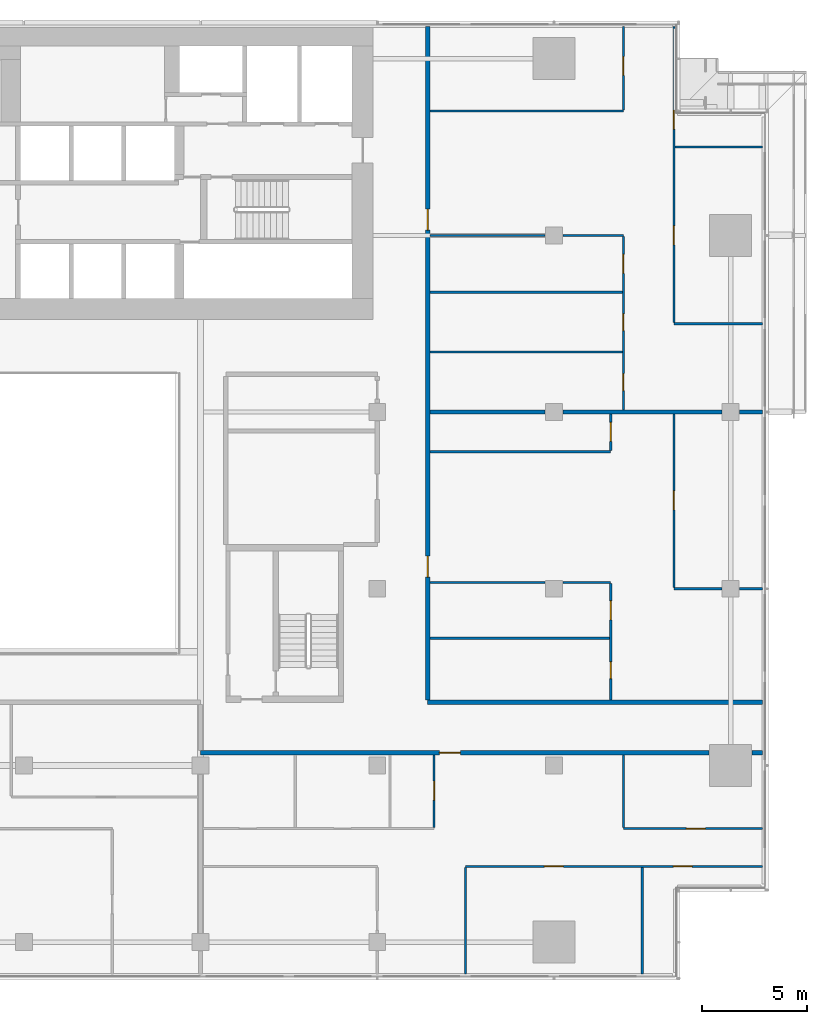
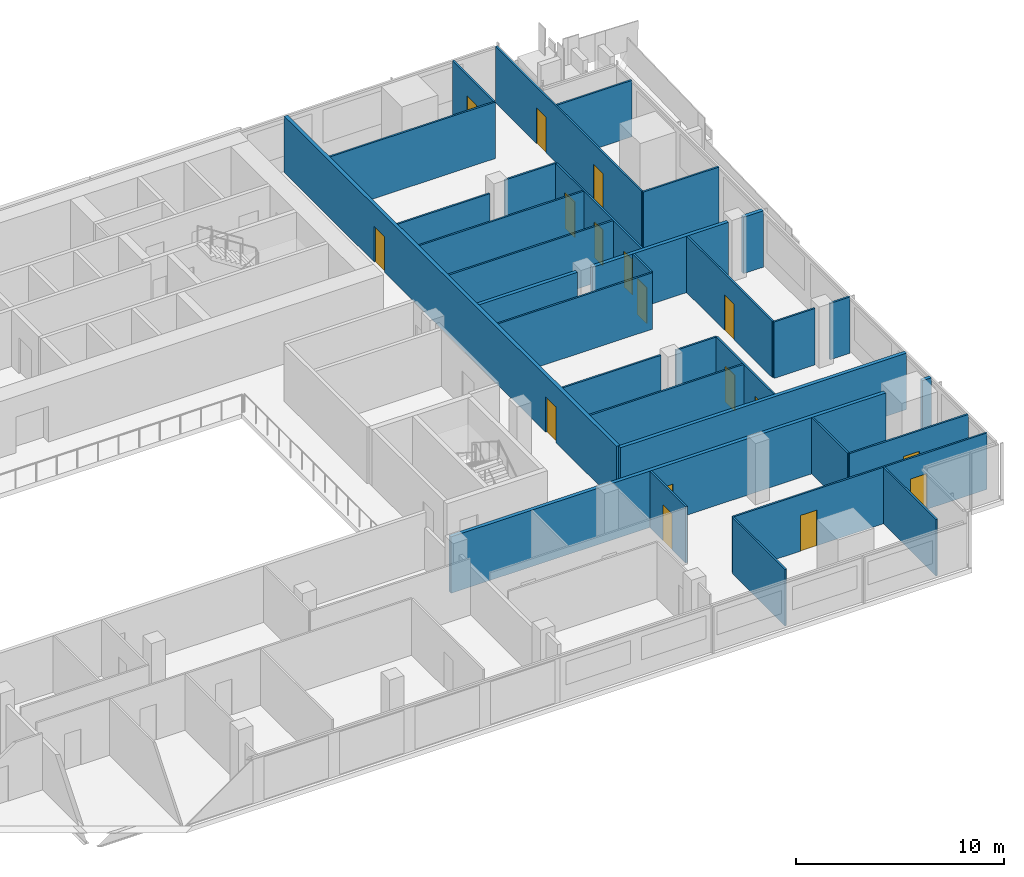
# One storey, part 21 of 27: 32 walls, 17 doors, 17 openings.
"""IFC4 building model written with IfcOpenShell, lengths in metres."""

from ifc_helpers import new_model, si_unit, direction, frame, frame_2d, origin, place, context, subcontext, project, spatial, rectangle, extrude, material, layer, layer_set, type_object, element, fill, save


model = new_model("IFC4")

# Units and contexts
model_context = context("Model", 3, precision=1e-05, world=origin(), true_north=direction((0.0, 1.0)))
body_context = subcontext(model_context, "Body", "Model", "MODEL_VIEW")
ifc_project = project(units=[si_unit("LENGTHUNIT", "METRE"), si_unit("AREAUNIT", "SQUARE_METRE"), si_unit("VOLUMEUNIT", "CUBIC_METRE"), si_unit("PLANEANGLEUNIT", "RADIAN"), si_unit("MASSUNIT", "GRAM", prefix="KILO")], contexts=[model_context])

# Site, building, storey
site_placement = place(None, origin())
site = spatial("IfcSite", under=ifc_project, at=site_placement, CompositionType="ELEMENT")
building_placement = place(site_placement, origin())
building = spatial("IfcBuilding", under=site, at=building_placement, Name="Saffron Gate Tower", CompositionType="ELEMENT")
storey_placement = place(building_placement, frame((0.0, 0.0, 134.85009765625)))
storey = spatial("IfcBuildingStorey", under=building, at=storey_placement, Name="L32", CompositionType="ELEMENT", Elevation=134.85009765625)

# Wall, openings, doors
ifc_material_1 = material(Name="Plasterboard on steel studs", Category="steel")
ifc_layer_1 = layer(ifc_material_1, 0.10009765625)
ifc_layer_set_1 = layer_set([ifc_layer_1], Name="PW1 Partition 100")
wall_type_1 = type_object("IfcWallType", Name="PW1 Partition 100", PredefinedType="PARTITIONING", material=ifc_layer_set_1)
wall_1_placement = place(storey_placement, frame((126.919921875, 35.39990234375, 0.0), z_axis=(0.0, 0.0, 1.0), x_axis=(-1.0, 0.0, 0.0)))
wall_1 = element("IfcWall", 1, at=wall_1_placement, inside=storey, type_object=wall_type_1, Name="Partition B4-3", PredefinedType="PARTITIONING", context=body_context, shape_type="SweptSolid", body=[
    extrude(rectangle(XDim=14.119873046875, YDim=0.10009765625, at=frame_2d((7.06005859375, 0.0))), origin(), (0.0, 0.0, 1.0), 3.31982421875),
])
opening_1_placement = place(wall_1_placement, frame((3.345703125, 0.0, 0.0)))
opening_1 = element("IfcOpeningElement", 2, at=opening_1_placement, cuts=wall_1, Name="Opening B4-20", PredefinedType="OPENING", context=body_context, shape_type="SweptSolid", body=[
    extrude(rectangle(XDim=0.89990234375, YDim=2.10009765625, at=frame_2d((0.449951171875, 1.050048828125))), frame((0.0, 0.06005859375, 0.0), z_axis=(0.0, -1.0, 0.0), x_axis=(1.0, 0.0, 0.0)), (0.0, 0.0, 1.0), 0.1201171875),
])
opening_2_placement = place(wall_1_placement, frame((9.469970703125, 0.0, 0.0)))
opening_2 = element("IfcOpeningElement", 3, at=opening_2_placement, cuts=wall_1, Name="Opening B4-19", PredefinedType="OPENING", context=body_context, shape_type="SweptSolid", body=[
    extrude(rectangle(XDim=0.89990234375, YDim=2.10009765625, at=frame_2d((0.449951171875, 1.050048828125))), frame((0.0, 0.06005859375, 0.0), z_axis=(0.0, -1.0, 0.0), x_axis=(1.0, 0.0, 0.0)), (0.0, 0.0, 1.0), 0.1201171875),
])
ifc_material_2 = material(Name="Timber door set", Category="wood")
door_type_1 = type_object("IfcDoorType", Name="RD1 Room door 900x2100", OperationType="NOTDEFINED", PredefinedType="DOOR", material=ifc_material_2)
door_1_placement = place(opening_1_placement, origin())
door_1 = element("IfcDoor", 4, at=door_1_placement, inside=storey, type_object=door_type_1, Name="Door B4-20", OperationType="SINGLE_SWING_RIGHT", OverallHeight=2.10009765625, OverallWidth=0.89990234375, PredefinedType="DOOR", context=body_context, shape_type="SweptSolid", body=[
    extrude(rectangle(XDim=0.89990234375, YDim=2.10009765625, at=frame_2d((0.449951171875, 1.050048828125))), frame((0.0, 0.02490234375, 0.0), z_axis=(0.0, -1.0, 0.0), x_axis=(1.0, 0.0, 0.0)), (0.0, 0.0, 1.0), 0.050048828125),
])
fill(opening_1, door_1)
door_2_placement = place(opening_2_placement, origin())
door_2 = element("IfcDoor", 5, at=door_2_placement, inside=storey, type_object=door_type_1, Name="Door B4-19", OperationType="SINGLE_SWING_RIGHT", OverallHeight=2.10009765625, OverallWidth=0.89990234375, PredefinedType="DOOR", context=body_context, shape_type="SweptSolid", body=[
    extrude(rectangle(XDim=0.89990234375, YDim=2.10009765625, at=frame_2d((0.449951171875, 1.050048828125))), frame((0.0, 0.02490234375, 0.0), z_axis=(0.0, -1.0, 0.0), x_axis=(1.0, 0.0, 0.0)), (0.0, 0.0, 1.0), 0.050048828125),
])
fill(opening_2, door_2)

# Wall, opening, door
wall_2_placement = place(storey_placement, frame((120.300048828125, 37.199951171875, 0.0), z_axis=(0.0, 0.0, 1.0), x_axis=(1.0, 0.0, 0.0)))
wall_2 = element("IfcWall", 6, at=wall_2_placement, inside=storey, type_object=wall_type_1, Name="Partition B4-8", PredefinedType="PARTITIONING", context=body_context, shape_type="SweptSolid", body=[
    extrude(rectangle(XDim=6.619873046875, YDim=0.10009765625, at=frame_2d((3.31005859375, 0.0))), origin(), (0.0, 0.0, 1.0), 3.31982421875),
])
opening_3_placement = place(wall_2_placement, frame((3.0, 0.0, 0.0)))
opening_3 = element("IfcOpeningElement", 7, at=opening_3_placement, cuts=wall_2, Name="Opening B4-21", PredefinedType="OPENING", context=body_context, shape_type="SweptSolid", body=[
    extrude(rectangle(XDim=0.89990234375, YDim=2.10009765625, at=frame_2d((0.449951171875, 1.050048828125))), frame((0.0, 0.06005859375, 0.0), z_axis=(0.0, -1.0, 0.0), x_axis=(1.0, 0.0, 0.0)), (0.0, 0.0, 1.0), 0.1201171875),
])
door_3_placement = place(opening_3_placement, origin())
door_3 = element("IfcDoor", 8, at=door_3_placement, inside=storey, type_object=door_type_1, Name="Door B4-21", OperationType="SINGLE_SWING_RIGHT", OverallHeight=2.10009765625, OverallWidth=0.89990234375, PredefinedType="DOOR", context=body_context, shape_type="SweptSolid", body=[
    extrude(rectangle(XDim=0.89990234375, YDim=2.10009765625, at=frame_2d((0.449951171875, 1.050048828125))), frame((0.0, 0.02490234375, 0.0), z_axis=(0.0, -1.0, 0.0), x_axis=(1.0, 0.0, 0.0)), (0.0, 0.0, 1.0), 0.050048828125),
])
fill(opening_3, door_3)

# Walls
wall_3_placement = place(storey_placement, frame((111.10009765625, 46.24609375, 0.0), z_axis=(0.0, 0.0, 1.0), x_axis=(1.0, 0.0, 0.0)))
element("IfcWall", 9, at=wall_3_placement, inside=storey, type_object=wall_type_1, Name="Partition B4-19", PredefinedType="PARTITIONING", context=body_context, shape_type="SweptSolid", body=[
    extrude(rectangle(XDim=8.5498046875, YDim=0.10009765625, at=frame_2d((4.27490234375, 0.0))), origin(), (0.0, 0.0, 1.0), 3.31982421875),
])
wall_4_placement = place(storey_placement, frame((122.699951171875, 48.60009765625, 0.0), z_axis=(0.0, 0.0, 1.0), x_axis=(1.0, 0.0, 0.0)))
element("IfcWall", 10, at=wall_4_placement, inside=storey, type_object=wall_type_1, Name="Partition B4-24", PredefinedType="PARTITIONING", context=body_context, shape_type="SweptSolid", body=[
    extrude(rectangle(XDim=2.280029296875, YDim=0.10009765625, at=frame_2d((1.14013671875, 0.0))), origin(), (0.0, 0.0, 1.0), 3.31982421875),
])
wall_5_placement = place(storey_placement, frame((125.820068359375, 48.60009765625, 0.0), z_axis=(0.0, 0.0, 1.0), x_axis=(1.0, 0.0, 0.0)))
element("IfcWall", 11, at=wall_5_placement, inside=storey, type_object=wall_type_1, Name="Partition B4-25", PredefinedType="PARTITIONING", context=body_context, shape_type="SweptSolid", body=[
    extrude(rectangle(XDim=1.099853515625, YDim=0.10009765625, at=frame_2d((0.5498046875, 0.0))), origin(), (0.0, 0.0, 1.0), 3.31982421875),
])
wall_6_placement = place(storey_placement, frame((111.10009765625, 48.89990234375, 0.0), z_axis=(0.0, 0.0, 1.0), x_axis=(1.0, 0.0, 0.0)))
element("IfcWall", 12, at=wall_6_placement, inside=storey, type_object=wall_type_1, Name="Partition B4-26", PredefinedType="PARTITIONING", context=body_context, shape_type="SweptSolid", body=[
    extrude(rectangle(XDim=5.47998046875, YDim=0.10009765625, at=frame_2d((2.739990234375, 0.0))), origin(), (0.0, 0.0, 1.0), 3.31982421875),
])
wall_7_placement = place(storey_placement, frame((117.419921875, 48.89990234375, 0.0), z_axis=(0.0, 0.0, 1.0), x_axis=(1.0, 0.0, 0.0)))
element("IfcWall", 13, at=wall_7_placement, inside=storey, type_object=wall_type_1, Name="Partition B4-27", PredefinedType="PARTITIONING", context=body_context, shape_type="SweptSolid", body=[
    extrude(rectangle(XDim=2.280029296875, YDim=0.10009765625, at=frame_2d((1.14013671875, 0.0))), origin(), (0.0, 0.0, 1.0), 3.31982421875),
])
wall_8_placement = place(storey_placement, frame((111.10009765625, 55.112548828125, 0.0), z_axis=(0.0, 0.0, 1.0), x_axis=(1.0, 0.0, 0.0)))
element("IfcWall", 14, at=wall_8_placement, inside=storey, type_object=wall_type_1, Name="Partition B4-31", PredefinedType="PARTITIONING", context=body_context, shape_type="SweptSolid", body=[
    extrude(rectangle(XDim=8.599853515625, YDim=0.10009765625, at=frame_2d((4.2998046875, 0.0))), origin(), (0.0, 0.0, 1.0), 3.31982421875),
])
wall_9_placement = place(storey_placement, frame((111.10009765625, 59.849609375, 0.0), z_axis=(0.0, 0.0, 1.0), x_axis=(1.0, 0.0, 0.0)))
element("IfcWall", 15, at=wall_9_placement, inside=storey, type_object=wall_type_1, Name="Partition B4-41", PredefinedType="PARTITIONING", context=body_context, shape_type="SweptSolid", body=[
    extrude(rectangle(XDim=9.14990234375, YDim=0.10009765625, at=frame_2d((4.574951171875, 0.0))), origin(), (0.0, 0.0, 1.0), 3.31982421875),
])
wall_10_placement = place(storey_placement, frame((122.699951171875, 61.199951171875, 0.0), z_axis=(0.0, 0.0, 1.0), x_axis=(1.0, 0.0, 0.0)))
element("IfcWall", 16, at=wall_10_placement, inside=storey, type_object=wall_type_1, Name="Partition B4-42", PredefinedType="PARTITIONING", context=body_context, shape_type="SweptSolid", body=[
    extrude(rectangle(XDim=4.219970703125, YDim=0.10009765625, at=frame_2d((2.10986328125, 0.0))), origin(), (0.0, 0.0, 1.0), 3.31982421875),
])
wall_11_placement = place(storey_placement, frame((111.10009765625, 62.698974609375, 0.0), z_axis=(0.0, 0.0, 1.0), x_axis=(1.0, 0.0, 0.0)))
element("IfcWall", 17, at=wall_11_placement, inside=storey, type_object=wall_type_1, Name="Partition B4-43", PredefinedType="PARTITIONING", context=body_context, shape_type="SweptSolid", body=[
    extrude(rectangle(XDim=9.14990234375, YDim=0.10009765625, at=frame_2d((4.574951171875, 0.0))), origin(), (0.0, 0.0, 1.0), 3.31982421875),
])
wall_12_placement = place(storey_placement, frame((111.10009765625, 65.39990234375, 0.0), z_axis=(0.0, 0.0, 1.0), x_axis=(1.0, 0.0, 0.0)))
element("IfcWall", 18, at=wall_12_placement, inside=storey, type_object=wall_type_1, Name="Partition B4-47", PredefinedType="PARTITIONING", context=body_context, shape_type="SweptSolid", body=[
    extrude(rectangle(XDim=5.47998046875, YDim=0.10009765625, at=frame_2d((2.739990234375, 0.0))), origin(), (0.0, 0.0, 1.0), 2.81982421875),
])
wall_13_placement = place(storey_placement, frame((117.419921875, 65.39990234375, 0.0), z_axis=(0.0, 0.0, 1.0), x_axis=(1.0, 0.0, 0.0)))
element("IfcWall", 19, at=wall_13_placement, inside=storey, type_object=wall_type_1, Name="Partition B4-48", PredefinedType="PARTITIONING", context=body_context, shape_type="SweptSolid", body=[
    extrude(rectangle(XDim=2.880126953125, YDim=0.10009765625, at=frame_2d((1.43994140625, 0.0))), origin(), (0.0, 0.0, 1.0), 3.31982421875),
])
wall_14_placement = place(storey_placement, frame((122.75, 69.60009765625, 0.0), z_axis=(0.0, 0.0, 1.0), x_axis=(1.0, 0.0, 0.0)))
element("IfcWall", 20, at=wall_14_placement, inside=storey, type_object=wall_type_1, Name="Partition B4-51", PredefinedType="PARTITIONING", context=body_context, shape_type="SweptSolid", body=[
    extrude(rectangle(XDim=4.169921875, YDim=0.10009765625, at=frame_2d((2.0849609375, 0.0))), origin(), (0.0, 0.0, 1.0), 3.31982421875),
])
wall_15_placement = place(storey_placement, frame((111.10009765625, 71.30859375, 0.0), z_axis=(0.0, 0.0, 1.0), x_axis=(1.0, 0.0, 0.0)))
element("IfcWall", 21, at=wall_15_placement, inside=storey, type_object=wall_type_1, Name="Partition B4-52", PredefinedType="PARTITIONING", context=body_context, shape_type="SweptSolid", body=[
    extrude(rectangle(XDim=9.199951171875, YDim=0.10009765625, at=frame_2d((4.60009765625, 0.0))), origin(), (0.0, 0.0, 1.0), 3.31982421875),
])

# Wall, opening, door
wall_16_placement = place(storey_placement, frame((111.300048828125, 37.25, 0.0), z_axis=(0.0, 0.0, 1.0), x_axis=(0.0, 1.0, 0.0)))
wall_16 = element("IfcWall", 22, at=wall_16_placement, inside=storey, type_object=wall_type_1, Name="Partition B4-93", PredefinedType="PARTITIONING", context=body_context, shape_type="SweptSolid", body=[
    extrude(rectangle(XDim=3.449951171875, YDim=0.10009765625, at=frame_2d((1.72509765625, 0.0))), origin(), (0.0, 0.0, 1.0), 3.31982421875),
])
opening_4_placement = place(wall_16_placement, frame((1.300048828125, 0.0, 0.0)))
opening_4 = element("IfcOpeningElement", 23, at=opening_4_placement, cuts=wall_16, Name="Opening B4-22", PredefinedType="OPENING", context=body_context, shape_type="SweptSolid", body=[
    extrude(rectangle(XDim=0.89990234375, YDim=2.10009765625, at=frame_2d((0.449951171875, 1.050048828125))), frame((0.0, 0.06005859375, 0.0), z_axis=(0.0, -1.0, 0.0), x_axis=(1.0, 0.0, 0.0)), (0.0, 0.0, 1.0), 0.1201171875),
])
door_4_placement = place(opening_4_placement, origin())
door_4 = element("IfcDoor", 24, at=door_4_placement, inside=storey, type_object=door_type_1, Name="Door B4-22", OperationType="SINGLE_SWING_RIGHT", OverallHeight=2.10009765625, OverallWidth=0.89990234375, PredefinedType="DOOR", context=body_context, shape_type="SweptSolid", body=[
    extrude(rectangle(XDim=0.89990234375, YDim=2.10009765625, at=frame_2d((0.449951171875, 1.050048828125))), frame((0.0, 0.02490234375, 0.0), z_axis=(0.0, -1.0, 0.0), x_axis=(1.0, 0.0, 0.0)), (0.0, 0.0, 1.0), 0.050048828125),
])
fill(opening_4, door_4)

# Wall
wall_17_placement = place(storey_placement, frame((112.800048828125, 35.35009765625, 0.0), z_axis=(0.0, 0.0, 1.0), x_axis=(0.0, -1.0, 0.0)))
element("IfcWall", 25, at=wall_17_placement, inside=storey, type_object=wall_type_1, Name="Partition B4-94", PredefinedType="PARTITIONING", context=body_context, shape_type="SweptSolid", body=[
    extrude(rectangle(XDim=5.070068359375, YDim=0.10009765625, at=frame_2d((2.53515625, 0.0))), origin(), (0.0, 0.0, 1.0), 3.31982421875),
])

# Wall, openings, doors
wall_18_placement = place(storey_placement, frame((119.699951171875, 43.300048828125, 0.0), z_axis=(0.0, 0.0, 1.0), x_axis=(0.0, 1.0, 0.0)))
wall_18 = element("IfcWall", 26, at=wall_18_placement, inside=storey, type_object=wall_type_1, Name="Partition B4-95", PredefinedType="PARTITIONING", context=body_context, shape_type="SweptSolid", body=[
    extrude(rectangle(XDim=5.550048828125, YDim=0.10009765625, at=frame_2d((2.77490234375, 0.0))), origin(), (0.0, 0.0, 1.0), 3.31982421875),
])
opening_5_placement = place(wall_18_placement, frame((1.02294921875, 0.0, 0.0)))
opening_5 = element("IfcOpeningElement", 27, at=opening_5_placement, cuts=wall_18, Name="Opening B4-45", PredefinedType="OPENING", context=body_context, shape_type="SweptSolid", body=[
    extrude(rectangle(XDim=0.800048828125, YDim=2.10009765625, at=frame_2d((0.39990234375, 1.050048828125))), frame((0.0, 0.06005859375, 0.0), z_axis=(0.0, -1.0, 0.0), x_axis=(1.0, 0.0, 0.0)), (0.0, 0.0, 1.0), 0.1201171875),
])
opening_6_placement = place(wall_18_placement, frame((3.822998046875, 0.0, 0.0)))
opening_6 = element("IfcOpeningElement", 28, at=opening_6_placement, cuts=wall_18, Name="Opening B4-30", PredefinedType="OPENING", context=body_context, shape_type="SweptSolid", body=[
    extrude(rectangle(XDim=0.89990234375, YDim=2.10009765625, at=frame_2d((0.449951171875, 1.050048828125))), frame((0.0, 0.06005859375, 0.0), z_axis=(0.0, -1.0, 0.0), x_axis=(1.0, 0.0, 0.0)), (0.0, 0.0, 1.0), 0.1201171875),
])
door_5_placement = place(opening_6_placement, origin())
door_5 = element("IfcDoor", 29, at=door_5_placement, inside=storey, type_object=door_type_1, Name="Door B4-30", OperationType="SINGLE_SWING_RIGHT", OverallHeight=2.10009765625, OverallWidth=0.89990234375, PredefinedType="DOOR", context=body_context, shape_type="SweptSolid", body=[
    extrude(rectangle(XDim=0.89990234375, YDim=2.10009765625, at=frame_2d((0.449951171875, 1.050048828125))), frame((0.0, 0.02490234375, 0.0), z_axis=(0.0, -1.0, 0.0), x_axis=(1.0, 0.0, 0.0)), (0.0, 0.0, 1.0), 0.050048828125),
])
fill(opening_6, door_5)
door_type_2 = type_object("IfcDoorType", Name="RD2 Bathroom door 800x2100", OperationType="NOTDEFINED", PredefinedType="DOOR", material=ifc_material_2)
door_6_placement = place(opening_5_placement, origin())
door_6 = element("IfcDoor", 30, at=door_6_placement, inside=storey, type_object=door_type_2, Name="Door B4-45", OperationType="SINGLE_SWING_LEFT", OverallHeight=2.10009765625, OverallWidth=0.800048828125, PredefinedType="DOOR", context=body_context, shape_type="SweptSolid", body=[
    extrude(rectangle(XDim=0.800048828125, YDim=2.10009765625, at=frame_2d((0.39990234375, 1.050048828125))), frame((0.0, 0.02490234375, 0.0), z_axis=(0.0, -1.0, 0.0), x_axis=(1.0, 0.0, 0.0)), (0.0, 0.0, 1.0), 0.050048828125),
])
fill(opening_5, door_6)

# Wall, opening, door
wall_19_placement = place(storey_placement, frame((119.699951171875, 55.16259765625, 0.0), z_axis=(0.0, 0.0, 1.0), x_axis=(0.0, 1.0, 0.0)))
wall_19 = element("IfcWall", 31, at=wall_19_placement, inside=storey, type_object=wall_type_1, Name="Partition B4-96", PredefinedType="PARTITIONING", context=body_context, shape_type="SweptSolid", body=[
    extrude(rectangle(XDim=1.7373046875, YDim=0.10009765625, at=frame_2d((0.86865234375, 0.0))), origin(), (0.0, 0.0, 1.0), 3.31982421875),
])
opening_7_placement = place(wall_19_placement, frame((0.443603515625, 0.0, 0.0)))
opening_7 = element("IfcOpeningElement", 32, at=opening_7_placement, cuts=wall_19, Name="Opening B4-29", PredefinedType="OPENING", context=body_context, shape_type="SweptSolid", body=[
    extrude(rectangle(XDim=0.89990234375, YDim=2.10009765625, at=frame_2d((0.449951171875, 1.050048828125))), frame((0.0, 0.06005859375, 0.0), z_axis=(0.0, -1.0, 0.0), x_axis=(1.0, 0.0, 0.0)), (0.0, 0.0, 1.0), 0.1201171875),
])
door_7_placement = place(opening_7_placement, origin())
door_7 = element("IfcDoor", 33, at=door_7_placement, inside=storey, type_object=door_type_1, Name="Door B4-29", OperationType="SINGLE_SWING_RIGHT", OverallHeight=2.10009765625, OverallWidth=0.89990234375, PredefinedType="DOOR", context=body_context, shape_type="SweptSolid", body=[
    extrude(rectangle(XDim=0.89990234375, YDim=2.10009765625, at=frame_2d((0.449951171875, 1.050048828125))), frame((0.0, 0.02490234375, 0.0), z_axis=(0.0, -1.0, 0.0), x_axis=(1.0, 0.0, 0.0)), (0.0, 0.0, 1.0), 0.050048828125),
])
fill(opening_7, door_7)

# Wall
wall_20_placement = place(storey_placement, frame((120.300048828125, 40.699951171875, 0.0), z_axis=(0.0, 0.0, 1.0), x_axis=(0.0, -1.0, 0.0)))
element("IfcWall", 34, at=wall_20_placement, inside=storey, type_object=wall_type_1, Name="Partition B4-97", PredefinedType="PARTITIONING", context=body_context, shape_type="SweptSolid", body=[
    extrude(rectangle(XDim=3.449951171875, YDim=0.10009765625, at=frame_2d((1.72509765625, 0.0))), origin(), (0.0, 0.0, 1.0), 3.31982421875),
])

# Wall, openings, doors
wall_21_placement = place(storey_placement, frame((120.300048828125, 57.10009765625, 0.0), z_axis=(0.0, 0.0, 1.0), x_axis=(0.0, 1.0, 0.0)))
wall_21 = element("IfcWall", 35, at=wall_21_placement, inside=storey, type_object=wall_type_1, Name="Partition B4-98", PredefinedType="PARTITIONING", context=body_context, shape_type="SweptSolid", body=[
    extrude(rectangle(XDim=8.25, YDim=0.10009765625, at=frame_2d((4.125, 0.0))), origin(), (0.0, 0.0, 1.0), 3.31982421875),
])
opening_8_placement = place(wall_21_placement, frame((0.9248046875, 0.0, 0.0)))
opening_8 = element("IfcOpeningElement", 36, at=opening_8_placement, cuts=wall_21, Name="Opening B4-46", PredefinedType="OPENING", context=body_context, shape_type="SweptSolid", body=[
    extrude(rectangle(XDim=0.800048828125, YDim=2.10009765625, at=frame_2d((0.39990234375, 1.050048828125))), frame((0.0, 0.06005859375, 0.0), z_axis=(0.0, -1.0, 0.0), x_axis=(1.0, 0.0, 0.0)), (0.0, 0.0, 1.0), 0.1201171875),
])
opening_9_placement = place(wall_21_placement, frame((3.774169921875, 0.0, 0.0)))
opening_9 = element("IfcOpeningElement", 37, at=opening_9_placement, cuts=wall_21, Name="Opening B4-47", PredefinedType="OPENING", context=body_context, shape_type="SweptSolid", body=[
    extrude(rectangle(XDim=0.800048828125, YDim=2.10009765625, at=frame_2d((0.39990234375, 1.050048828125))), frame((0.0, 0.06005859375, 0.0), z_axis=(0.0, -1.0, 0.0), x_axis=(1.0, 0.0, 0.0)), (0.0, 0.0, 1.0), 0.1201171875),
])
opening_10_placement = place(wall_21_placement, frame((6.49951171875, 0.0, 0.0)))
opening_10 = element("IfcOpeningElement", 38, at=opening_10_placement, cuts=wall_21, Name="Opening B4-34", PredefinedType="OPENING", context=body_context, shape_type="SweptSolid", body=[
    extrude(rectangle(XDim=0.89990234375, YDim=2.10009765625, at=frame_2d((0.449951171875, 1.050048828125))), frame((0.0, 0.06005859375, 0.0), z_axis=(0.0, -1.0, 0.0), x_axis=(1.0, 0.0, 0.0)), (0.0, 0.0, 1.0), 0.1201171875),
])
door_8_placement = place(opening_10_placement, origin())
door_8 = element("IfcDoor", 39, at=door_8_placement, inside=storey, type_object=door_type_1, Name="Door B4-34", OperationType="SINGLE_SWING_RIGHT", OverallHeight=2.10009765625, OverallWidth=0.89990234375, PredefinedType="DOOR", context=body_context, shape_type="SweptSolid", body=[
    extrude(rectangle(XDim=0.89990234375, YDim=2.10009765625, at=frame_2d((0.449951171875, 1.050048828125))), frame((0.0, 0.02490234375, 0.0), z_axis=(0.0, -1.0, 0.0), x_axis=(1.0, 0.0, 0.0)), (0.0, 0.0, 1.0), 0.050048828125),
])
fill(opening_10, door_8)
door_9_placement = place(opening_8_placement, origin())
door_9 = element("IfcDoor", 40, at=door_9_placement, inside=storey, type_object=door_type_2, Name="Door B4-46", OperationType="SINGLE_SWING_LEFT", OverallHeight=2.10009765625, OverallWidth=0.800048828125, PredefinedType="DOOR", context=body_context, shape_type="SweptSolid", body=[
    extrude(rectangle(XDim=0.800048828125, YDim=2.10009765625, at=frame_2d((0.39990234375, 1.050048828125))), frame((0.0, 0.02490234375, 0.0), z_axis=(0.0, -1.0, 0.0), x_axis=(1.0, 0.0, 0.0)), (0.0, 0.0, 1.0), 0.050048828125),
])
fill(opening_8, door_9)
door_10_placement = place(opening_9_placement, origin())
door_10 = element("IfcDoor", 41, at=door_10_placement, inside=storey, type_object=door_type_2, Name="Door B4-47", OperationType="SINGLE_SWING_LEFT", OverallHeight=2.10009765625, OverallWidth=0.800048828125, PredefinedType="DOOR", context=body_context, shape_type="SweptSolid", body=[
    extrude(rectangle(XDim=0.800048828125, YDim=2.10009765625, at=frame_2d((0.39990234375, 1.050048828125))), frame((0.0, 0.02490234375, 0.0), z_axis=(0.0, -1.0, 0.0), x_axis=(1.0, 0.0, 0.0)), (0.0, 0.0, 1.0), 0.050048828125),
])
fill(opening_9, door_10)

# Wall, opening, door
wall_22_placement = place(storey_placement, frame((120.300048828125, 71.358642578125, 0.0), z_axis=(0.0, 0.0, 1.0), x_axis=(0.0, 1.0, 0.0)))
wall_22 = element("IfcWall", 42, at=wall_22_placement, inside=storey, type_object=wall_type_1, Name="Partition B4-99", PredefinedType="PARTITIONING", context=body_context, shape_type="SweptSolid", body=[
    extrude(rectangle(XDim=3.96142578125, YDim=0.10009765625, at=frame_2d((1.980712890625, 0.0))), origin(), (0.0, 0.0, 1.0), 3.31982421875),
])
opening_11_placement = place(wall_22_placement, frame((1.645751953125, 0.0, 0.0)))
opening_11 = element("IfcOpeningElement", 43, at=opening_11_placement, cuts=wall_22, Name="Opening B4-33", PredefinedType="OPENING", context=body_context, shape_type="SweptSolid", body=[
    extrude(rectangle(XDim=0.89990234375, YDim=2.10009765625, at=frame_2d((0.449951171875, 1.050048828125))), frame((0.0, 0.06005859375, 0.0), z_axis=(0.0, -1.0, 0.0), x_axis=(1.0, 0.0, 0.0)), (0.0, 0.0, 1.0), 0.1201171875),
])
door_11_placement = place(opening_11_placement, origin())
door_11 = element("IfcDoor", 44, at=door_11_placement, inside=storey, type_object=door_type_1, Name="Door B4-33", OperationType="SINGLE_SWING_RIGHT", OverallHeight=2.10009765625, OverallWidth=0.89990234375, PredefinedType="DOOR", context=body_context, shape_type="SweptSolid", body=[
    extrude(rectangle(XDim=0.89990234375, YDim=2.10009765625, at=frame_2d((0.449951171875, 1.050048828125))), frame((0.0, 0.02490234375, 0.0), z_axis=(0.0, -1.0, 0.0), x_axis=(1.0, 0.0, 0.0)), (0.0, 0.0, 1.0), 0.050048828125),
])
fill(opening_11, door_11)

# Wall
wall_23_placement = place(storey_placement, frame((121.199951171875, 35.35009765625, 0.0), z_axis=(0.0, 0.0, 1.0), x_axis=(0.0, -1.0, 0.0)))
element("IfcWall", 45, at=wall_23_placement, inside=storey, type_object=wall_type_1, Name="Partition B4-100", PredefinedType="PARTITIONING", context=body_context, shape_type="SweptSolid", body=[
    extrude(rectangle(XDim=5.070068359375, YDim=0.10009765625, at=frame_2d((2.53515625, 0.0))), origin(), (0.0, 0.0, 1.0), 3.31982421875),
])

# Wall, opening, door
wall_24_placement = place(storey_placement, frame((122.699951171875, 56.89990234375, 0.0), z_axis=(0.0, 0.0, 1.0), x_axis=(0.0, -1.0, 0.0)))
wall_24 = element("IfcWall", 46, at=wall_24_placement, inside=storey, type_object=wall_type_1, Name="Partition B4-101", PredefinedType="PARTITIONING", context=body_context, shape_type="SweptSolid", body=[
    extrude(rectangle(XDim=8.25, YDim=0.10009765625, at=frame_2d((4.125, 0.0))), origin(), (0.0, 0.0, 1.0), 3.31982421875),
])
opening_12_placement = place(wall_24_placement, frame((3.64990234375, 0.0, 0.0)))
opening_12 = element("IfcOpeningElement", 47, at=opening_12_placement, cuts=wall_24, Name="Opening B4-28", PredefinedType="OPENING", context=body_context, shape_type="SweptSolid", body=[
    extrude(rectangle(XDim=0.89990234375, YDim=2.10009765625, at=frame_2d((0.449951171875, 1.050048828125))), frame((0.0, 0.06005859375, 0.0), z_axis=(0.0, -1.0, 0.0), x_axis=(1.0, 0.0, 0.0)), (0.0, 0.0, 1.0), 0.1201171875),
])
door_12_placement = place(opening_12_placement, origin())
door_12 = element("IfcDoor", 48, at=door_12_placement, inside=storey, type_object=door_type_1, Name="Door B4-28", OperationType="SINGLE_SWING_LEFT", OverallHeight=2.10009765625, OverallWidth=0.89990234375, PredefinedType="DOOR", context=body_context, shape_type="SweptSolid", body=[
    extrude(rectangle(XDim=0.89990234375, YDim=2.10009765625, at=frame_2d((0.449951171875, 1.050048828125))), frame((0.0, 0.02490234375, 0.0), z_axis=(0.0, -1.0, 0.0), x_axis=(1.0, 0.0, 0.0)), (0.0, 0.0, 1.0), 0.050048828125),
])
fill(opening_12, door_12)

# Wall, openings, doors
wall_25_placement = place(storey_placement, frame((122.699951171875, 75.320068359375, 0.0), z_axis=(0.0, 0.0, 1.0), x_axis=(0.0, -1.0, 0.0)))
wall_25 = element("IfcWall", 49, at=wall_25_placement, inside=storey, type_object=wall_type_1, Name="Partition B4-102", PredefinedType="PARTITIONING", context=body_context, shape_type="SweptSolid", body=[
    extrude(rectangle(XDim=14.070068359375, YDim=0.10009765625, at=frame_2d((7.03515625, 0.0))), origin(), (0.0, 0.0, 1.0), 3.31982421875),
])
opening_13_placement = place(wall_25_placement, frame((3.96630859375, 0.0, 0.0)))
opening_13 = element("IfcOpeningElement", 50, at=opening_13_placement, cuts=wall_25, Name="Opening B4-32", PredefinedType="OPENING", context=body_context, shape_type="SweptSolid", body=[
    extrude(rectangle(XDim=0.89990234375, YDim=2.10009765625, at=frame_2d((0.449951171875, 1.050048828125))), frame((0.0, 0.06005859375, 0.0), z_axis=(0.0, -1.0, 0.0), x_axis=(1.0, 0.0, 0.0)), (0.0, 0.0, 1.0), 0.1201171875),
])
opening_14_placement = place(wall_25_placement, frame((9.469970703125, 0.0, 0.0)))
opening_14 = element("IfcOpeningElement", 51, at=opening_14_placement, cuts=wall_25, Name="Opening B4-31", PredefinedType="OPENING", context=body_context, shape_type="SweptSolid", body=[
    extrude(rectangle(XDim=0.89990234375, YDim=2.10009765625, at=frame_2d((0.449951171875, 1.050048828125))), frame((0.0, 0.06005859375, 0.0), z_axis=(0.0, -1.0, 0.0), x_axis=(1.0, 0.0, 0.0)), (0.0, 0.0, 1.0), 0.1201171875),
])
door_13_placement = place(opening_13_placement, origin())
door_13 = element("IfcDoor", 52, at=door_13_placement, inside=storey, type_object=door_type_1, Name="Door B4-32", OperationType="SINGLE_SWING_RIGHT", OverallHeight=2.10009765625, OverallWidth=0.89990234375, PredefinedType="DOOR", context=body_context, shape_type="SweptSolid", body=[
    extrude(rectangle(XDim=0.89990234375, YDim=2.10009765625, at=frame_2d((0.449951171875, 1.050048828125))), frame((0.0, 0.02490234375, 0.0), z_axis=(0.0, -1.0, 0.0), x_axis=(1.0, 0.0, 0.0)), (0.0, 0.0, 1.0), 0.050048828125),
])
fill(opening_13, door_13)
door_14_placement = place(opening_14_placement, origin())
door_14 = element("IfcDoor", 53, at=door_14_placement, inside=storey, type_object=door_type_1, Name="Door B4-31", OperationType="SINGLE_SWING_RIGHT", OverallHeight=2.10009765625, OverallWidth=0.89990234375, PredefinedType="DOOR", context=body_context, shape_type="SweptSolid", body=[
    extrude(rectangle(XDim=0.89990234375, YDim=2.10009765625, at=frame_2d((0.449951171875, 1.050048828125))), frame((0.0, 0.02490234375, 0.0), z_axis=(0.0, -1.0, 0.0), x_axis=(1.0, 0.0, 0.0)), (0.0, 0.0, 1.0), 0.050048828125),
])
fill(opening_14, door_14)

# Walls
ifc_material_3 = material(Name="Clay brick masonry, rendered", Category="masonry")
ifc_layer_2 = layer(ifc_material_3, 0.199951171875)
ifc_layer_set_2 = layer_set([ifc_layer_2], Name="PW2 Demising wall 200")
wall_type_2 = type_object("IfcWallType", Name="PW2 Demising wall 200", PredefinedType="PARTITIONING", material=ifc_layer_set_2)
wall_26_placement = place(storey_placement, frame((111.10009765625, 57.0, 0.0), z_axis=(0.0, 0.0, 1.0), x_axis=(1.0, 0.0, 0.0)))
element("IfcWall", 54, at=wall_26_placement, inside=storey, type_object=wall_type_2, Name="Wall B4-33", PredefinedType="PARTITIONING", context=body_context, shape_type="SweptSolid", body=[
    extrude(rectangle(XDim=5.47998046875, YDim=0.199951171875, at=frame_2d((2.739990234375, 0.0))), origin(), (0.0, 0.0, 1.0), 3.31982421875),
])
wall_27_placement = place(storey_placement, frame((117.419921875, 57.0, 0.0), z_axis=(0.0, 0.0, 1.0), x_axis=(1.0, 0.0, 0.0)))
element("IfcWall", 55, at=wall_27_placement, inside=storey, type_object=wall_type_2, Name="Wall B4-34", PredefinedType="PARTITIONING", context=body_context, shape_type="SweptSolid", body=[
    extrude(rectangle(XDim=7.56005859375, YDim=0.199951171875, at=frame_2d((3.780029296875, 0.0))), origin(), (0.0, 0.0, 1.0), 3.31982421875),
])
wall_28_placement = place(storey_placement, frame((125.820068359375, 57.0, 0.0), z_axis=(0.0, 0.0, 1.0), x_axis=(1.0, 0.0, 0.0)))
element("IfcWall", 56, at=wall_28_placement, inside=storey, type_object=wall_type_2, Name="Wall B4-35", PredefinedType="PARTITIONING", context=body_context, shape_type="SweptSolid", body=[
    extrude(rectangle(XDim=1.099853515625, YDim=0.199951171875, at=frame_2d((0.5498046875, 0.0))), origin(), (0.0, 0.0, 1.0), 3.31982421875),
])

# Wall, opening, door
ifc_layer_3 = layer(ifc_material_3, 0.199951171875)
ifc_layer_set_3 = layer_set([ifc_layer_3], Name="PW3 Corridor wall 200")
wall_type_3 = type_object("IfcWallType", Name="PW3 Corridor wall 200", PredefinedType="PARTITIONING", material=ifc_layer_set_3)
wall_29_placement = place(storey_placement, frame((124.3798828125, 40.800048828125, 0.0), z_axis=(0.0, 0.0, 1.0), x_axis=(-1.0, 0.0, 0.0)))
wall_29 = element("IfcWall", 57, at=wall_29_placement, inside=storey, type_object=wall_type_3, Name="Wall B4-13", PredefinedType="PARTITIONING", context=body_context, shape_type="SweptSolid", body=[
    extrude(rectangle(XDim=24.179931640625, YDim=0.199951171875, at=frame_2d((12.08984375, 0.0))), origin(), (0.0, 0.0, 1.0), 3.31982421875),
])
opening_15_placement = place(wall_29_placement, frame((11.830078125, 0.0, 0.0)))
opening_15 = element("IfcOpeningElement", 58, at=opening_15_placement, cuts=wall_29, Name="Opening B4-3", PredefinedType="OPENING", context=body_context, shape_type="SweptSolid", body=[
    extrude(rectangle(XDim=1.0, YDim=2.10009765625, at=frame_2d((0.5, 1.050048828125))), frame((0.0, 0.10986328125, 0.0), z_axis=(0.0, -1.0, 0.0), x_axis=(1.0, 0.0, 0.0)), (0.0, 0.0, 1.0), 0.219970703125),
])
ifc_material_4 = material(Name="Timber fire door set", Category="wood")
door_type_3 = type_object("IfcDoorType", Name="FD1 Flat entry door 1000x2100", OperationType="NOTDEFINED", PredefinedType="DOOR", material=ifc_material_4)
door_15_placement = place(opening_15_placement, origin())
door_15 = element("IfcDoor", 59, at=door_15_placement, inside=storey, type_object=door_type_3, Name="Door B4-3", OperationType="SINGLE_SWING_RIGHT", OverallHeight=2.10009765625, OverallWidth=1.0, PredefinedType="DOOR", context=body_context, shape_type="SweptSolid", body=[
    extrude(rectangle(XDim=1.0, YDim=2.10009765625, at=frame_2d((0.5, 1.050048828125))), frame((0.0, 0.02490234375, 0.0), z_axis=(0.0, -1.0, 0.0), x_axis=(1.0, 0.0, 0.0)), (0.0, 0.0, 1.0), 0.050048828125),
])
fill(opening_15, door_15)

# Walls
wall_30_placement = place(storey_placement, frame((126.419921875, 40.800048828125, 0.0), z_axis=(0.0, 0.0, 1.0), x_axis=(1.0, 0.0, 0.0)))
element("IfcWall", 60, at=wall_30_placement, inside=storey, type_object=wall_type_3, Name="Wall B4-14", PredefinedType="PARTITIONING", context=body_context, shape_type="SweptSolid", body=[
    extrude(rectangle(XDim=0.5, YDim=0.199951171875, at=frame_2d((0.25, 0.0))), origin(), (0.0, 0.0, 1.0), 3.31982421875),
])
wall_31_placement = place(storey_placement, frame((111.0, 43.199951171875, 0.0), z_axis=(0.0, 0.0, 1.0), x_axis=(1.0, 0.0, 0.0)))
element("IfcWall", 61, at=wall_31_placement, inside=storey, type_object=wall_type_3, Name="Wall B4-17", PredefinedType="PARTITIONING", context=body_context, shape_type="SweptSolid", body=[
    extrude(rectangle(XDim=15.919921875, YDim=0.199951171875, at=frame_2d((7.9599609375, 0.0))), origin(), (0.0, 0.0, 1.0), 3.31982421875),
])

# Wall, openings, doors
wall_32_placement = place(storey_placement, frame((111.0, 75.320068359375, 0.0), z_axis=(0.0, 0.0, 1.0), x_axis=(0.0, -1.0, 0.0)))
wall_32 = element("IfcWall", 62, at=wall_32_placement, inside=storey, type_object=wall_type_3, Name="Wall B4-92", PredefinedType="PARTITIONING", context=body_context, shape_type="SweptSolid", body=[
    extrude(rectangle(XDim=32.02001953125, YDim=0.199951171875, at=frame_2d((16.010009765625, 0.0))), origin(), (0.0, 0.0, 1.0), 3.31982421875),
])
opening_16_placement = place(wall_32_placement, frame((8.669921875, 0.0, 0.0)))
opening_16 = element("IfcOpeningElement", 63, at=opening_16_placement, cuts=wall_32, Name="Opening B4-7", PredefinedType="OPENING", context=body_context, shape_type="SweptSolid", body=[
    extrude(rectangle(XDim=1.0, YDim=2.10009765625, at=frame_2d((0.5, 1.050048828125))), frame((0.0, 0.10986328125, 0.0), z_axis=(0.0, -1.0, 0.0), x_axis=(1.0, 0.0, 0.0)), (0.0, 0.0, 1.0), 0.219970703125),
])
opening_17_placement = place(wall_32_placement, frame((25.169921875, 0.0, 0.0)))
opening_17 = element("IfcOpeningElement", 64, at=opening_17_placement, cuts=wall_32, Name="Opening B4-6", PredefinedType="OPENING", context=body_context, shape_type="SweptSolid", body=[
    extrude(rectangle(XDim=1.0, YDim=2.10009765625, at=frame_2d((0.5, 1.050048828125))), frame((0.0, 0.10986328125, 0.0), z_axis=(0.0, -1.0, 0.0), x_axis=(1.0, 0.0, 0.0)), (0.0, 0.0, 1.0), 0.219970703125),
])
door_16_placement = place(opening_16_placement, origin())
door_16 = element("IfcDoor", 65, at=door_16_placement, inside=storey, type_object=door_type_3, Name="Door B4-7", OperationType="SINGLE_SWING_RIGHT", OverallHeight=2.10009765625, OverallWidth=1.0, PredefinedType="DOOR", context=body_context, shape_type="SweptSolid", body=[
    extrude(rectangle(XDim=1.0, YDim=2.10009765625, at=frame_2d((0.5, 1.050048828125))), frame((0.0, 0.02490234375, 0.0), z_axis=(0.0, -1.0, 0.0), x_axis=(1.0, 0.0, 0.0)), (0.0, 0.0, 1.0), 0.050048828125),
])
fill(opening_16, door_16)
door_17_placement = place(opening_17_placement, origin())
door_17 = element("IfcDoor", 66, at=door_17_placement, inside=storey, type_object=door_type_3, Name="Door B4-6", OperationType="SINGLE_SWING_LEFT", OverallHeight=2.10009765625, OverallWidth=1.0, PredefinedType="DOOR", context=body_context, shape_type="SweptSolid", body=[
    extrude(rectangle(XDim=1.0, YDim=2.10009765625, at=frame_2d((0.5, 1.050048828125))), frame((0.0, 0.02490234375, 0.0), z_axis=(0.0, -1.0, 0.0), x_axis=(1.0, 0.0, 0.0)), (0.0, 0.0, 1.0), 0.050048828125),
])
fill(opening_17, door_17)

save(model, "model.ifc")
